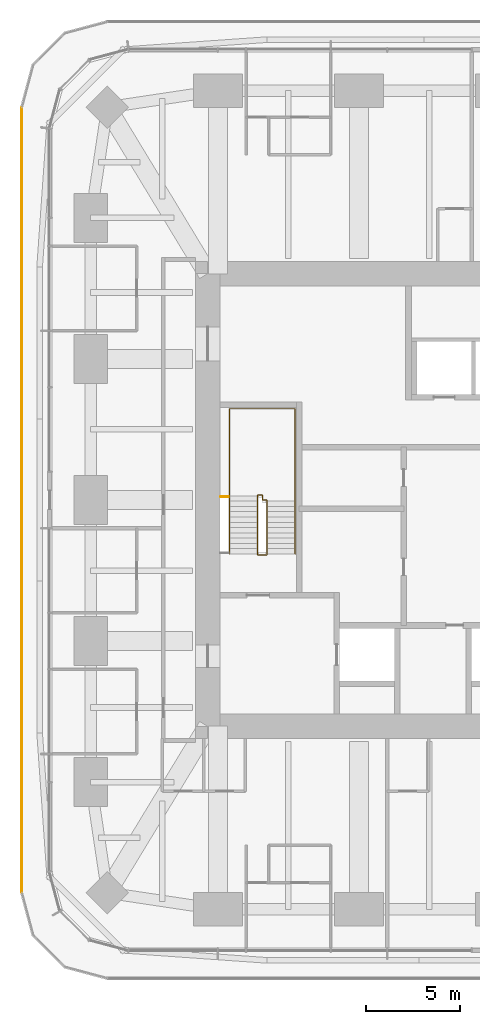
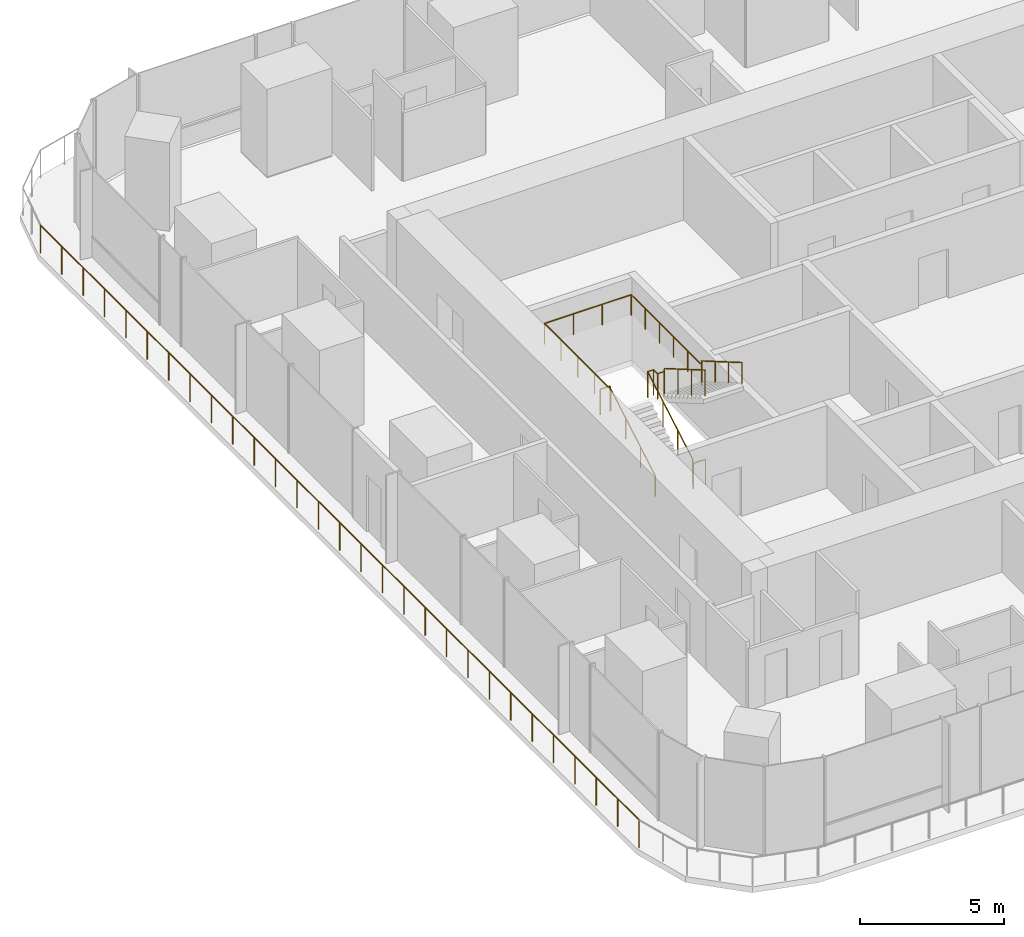
# One storey, part 13 of 15: 4 railings.
"""IFC4 building model written with IfcOpenShell, lengths in metres."""

from ifc_helpers import new_model, si_unit, direction, frame, origin, origin_2d, place, context, subcontext, project, spatial, circle, extrude, material, type_object, element, save


model = new_model("IFC4")

# Units and contexts
model_context = context("Model", 3, precision=1e-05, world=origin(), true_north=direction((0.0, 1.0)))
body_context = subcontext(model_context, "Body", "Model", "MODEL_VIEW")
ifc_project = project(units=[si_unit("LENGTHUNIT", "METRE"), si_unit("AREAUNIT", "SQUARE_METRE"), si_unit("VOLUMEUNIT", "CUBIC_METRE"), si_unit("PLANEANGLEUNIT", "RADIAN"), si_unit("MASSUNIT", "GRAM", prefix="KILO")], contexts=[model_context])

# Site, building, storey
site_placement = place(None, origin())
site = spatial("IfcSite", under=ifc_project, at=site_placement, CompositionType="ELEMENT")
building_placement = place(site_placement, origin())
building = spatial("IfcBuilding", under=site, at=building_placement, Name="Khuree Lantern Residences", CompositionType="ELEMENT")
storey_placement = place(building_placement, frame((0.0, 0.0, 285.75)))
storey = spatial("IfcBuildingStorey", under=building, at=storey_placement, Name="L71", CompositionType="ELEMENT", Elevation=285.75)

# Railings
ifc_material_1 = material(Name="Steel S355", Category="steel")
railing_type_1 = type_object("IfcRailingType", Name="STAIR GUARD G1 1100", PredefinedType="GUARDRAIL", material=ifc_material_1)
railing_1_placement = place(storey_placement, frame((-12.35009765625, -2.909912109375, 0.0)))
element("IfcRailing", 1, at=railing_1_placement, inside=storey, type_object=railing_type_1, Name="Stair ST1 guard", PredefinedType="GUARDRAIL", context=body_context, shape_type="SweptSolid", body=[
    extrude(circle(Radius=0.02392578125, at=origin_2d()), frame((0.0, 0.0, 1.076171875), z_axis=(-1.0, 0.0, 0.0), x_axis=(0.0, -1.0, 0.0)), (0.0, 0.0, 1.0), 0.5),
    extrude(circle(Radius=0.02392578125, at=origin_2d()), frame((-0.5, 0.0, 1.076171875), z_axis=(0.0, 0.292073035251, 0.95639601739), x_axis=(-1.0, 0.0, 0.0)), (0.0, 0.0, 1.0), 0.17041015625),
    extrude(circle(Radius=0.02392578125, at=origin_2d()), frame((-0.5, 0.0498046875, 1.2392578125), z_axis=(0.0, 0.864176135923, 0.503189433615), x_axis=(-1.0, 0.0, 0.0)), (0.0, 0.0, 1.0), 3.564208984375),
    extrude(circle(Radius=0.02392578125, at=origin_2d()), frame((-0.5, 3.1298828125, 3.03271484375), z_axis=(0.0, 1.0, 0.0), x_axis=(-1.0, 0.0, 0.0)), (0.0, 0.0, 1.0), 0.050048828125),
    extrude(circle(Radius=0.02392578125, at=origin_2d()), frame((-0.5, 3.179931640625, 3.03271484375), z_axis=(1.0, 0.0, 0.0), x_axis=(0.0, 1.0, 0.0)), (0.0, 0.0, 1.0), 0.25),
    extrude(circle(Radius=0.02392578125, at=origin_2d()), frame((-0.25, 3.179931640625, 3.03271484375), z_axis=(0.0, -1.0, 0.0), x_axis=(1.0, 0.0, 0.0)), (0.0, 0.0, 1.0), 0.280029296875),
    extrude(circle(Radius=0.02392578125, at=origin_2d()), frame((-0.25, 2.89990234375, 3.03271484375), z_axis=(1.0, 0.0, 0.0), x_axis=(0.0, 1.0, 0.0)), (0.0, 0.0, 1.0), 0.25),
    extrude(circle(Radius=0.02392578125, at=origin_2d()), frame((0.0, 2.89990234375, 3.03271484375), z_axis=(0.0, -0.293381807449, 0.955995353053), x_axis=(1.0, 0.0, 0.0)), (0.0, 0.0, 1.0), 0.170654296875),
    extrude(circle(Radius=0.02392578125, at=origin_2d()), frame((0.0, 2.849853515625, 3.19580078125), z_axis=(0.0, -0.864180358799, 0.503182181189), x_axis=(1.0, 0.0, 0.0)), (0.0, 0.0, 1.0), 3.240234375),
    extrude(circle(Radius=0.02099609375, at=origin_2d()), origin(), (0.0, 0.0, 1.0), 1.052001953125),
    extrude(circle(Radius=0.02099609375, at=origin_2d()), frame((-0.5, 0.0, 0.0)), (0.0, 0.0, 1.0), 1.052001953125),
    extrude(circle(Radius=0.02099609375, at=origin_2d()), frame((-0.5, 0.0498046875, 0.1630859375)), (0.0, 0.0, 1.0), 1.052001953125),
    extrude(circle(Radius=0.02099609375, at=origin_2d()), frame((-0.5, 1.076416015625, 0.760986328125)), (0.0, 0.0, 1.0), 1.052001953125),
    extrude(circle(Radius=0.02099609375, at=origin_2d()), frame((-0.5, 2.103271484375, 1.358642578125)), (0.0, 0.0, 1.0), 1.052001953125),
    extrude(circle(Radius=0.02099609375, at=origin_2d()), frame((-0.5, 3.1298828125, 1.95654296875)), (0.0, 0.0, 1.0), 1.052001953125),
    extrude(circle(Radius=0.02099609375, at=origin_2d()), frame((-0.5, 3.179931640625, 1.95654296875)), (0.0, 0.0, 1.0), 1.052001953125),
    extrude(circle(Radius=0.02099609375, at=origin_2d()), frame((-0.25, 3.179931640625, 1.95654296875)), (0.0, 0.0, 1.0), 1.052001953125),
    extrude(circle(Radius=0.02099609375, at=origin_2d()), frame((-0.25, 2.89990234375, 1.95654296875)), (0.0, 0.0, 1.0), 1.052001953125),
    extrude(circle(Radius=0.02099609375, at=origin_2d()), frame((0.0, 2.89990234375, 1.95654296875)), (0.0, 0.0, 1.0), 1.052001953125),
    extrude(circle(Radius=0.02099609375, at=origin_2d()), frame((0.0, 2.849853515625, 2.11962890625)), (0.0, 0.0, 1.0), 1.052001953125),
    extrude(circle(Radius=0.02099609375, at=origin_2d()), frame((0.0, 1.91650390625, 2.6630859375)), (0.0, 0.0, 1.0), 1.052001953125),
    extrude(circle(Radius=0.02099609375, at=origin_2d()), frame((0.0, 0.983154296875, 3.20654296875)), (0.0, 0.0, 1.0), 1.052001953125),
    extrude(circle(Radius=0.02099609375, at=origin_2d()), frame((0.0, 0.0498046875, 3.75)), (0.0, 0.0, 1.0), 1.052001953125),
])
railing_2_placement = place(storey_placement, frame((-14.800048828125, 0.169921875, 1.95654296875)))
element("IfcRailing", 2, at=railing_2_placement, inside=storey, type_object=railing_type_1, Name="Stair ST1 landing slot guard", PredefinedType="GUARDRAIL", context=body_context, shape_type="SweptSolid", body=[
    extrude(circle(Radius=0.02392578125, at=origin_2d()), frame((0.0, 0.0, 1.076171875), z_axis=(1.0, 0.0, 0.0), x_axis=(0.0, 1.0, 0.0)), (0.0, 0.0, 1.0), 0.400146484375),
    extrude(circle(Radius=0.02099609375, at=origin_2d()), origin(), (0.0, 0.0, 1.0), 1.052001953125),
    extrude(circle(Radius=0.02099609375, at=origin_2d()), frame((0.400146484375, 0.0, 0.0)), (0.0, 0.0, 1.0), 1.052001953125),
])
railing_type_2 = type_object("IfcRailingType", Name="STAIR HANDRAIL H1 900", PredefinedType="HANDRAIL", material=ifc_material_1)
railing_3_placement = place(storey_placement, frame((-14.340087890625, -2.860107421875, 0.1630859375)))
element("IfcRailing", 3, at=railing_3_placement, inside=storey, type_object=railing_type_2, Name="Stair ST1 handrail", PredefinedType="HANDRAIL", context=body_context, shape_type="SweptSolid", body=[
    extrude(circle(Radius=0.02392578125, at=origin_2d()), frame((0.0, 0.0, 0.8759765625), z_axis=(0.0, 0.864176135923, 0.503189433615), x_axis=(-1.0, 0.0, 0.0)), (0.0, 0.0, 1.0), 3.564208984375),
    extrude(circle(Radius=0.02392578125, at=origin_2d()), frame((0.0, 3.080078125, 2.66943359375), z_axis=(0.0, 1.0, 0.0), x_axis=(-1.0, 0.0, 0.0)), (0.0, 0.0, 1.0), 4.6201171875),
    extrude(circle(Radius=0.02392578125, at=origin_2d()), frame((0.0, 7.7001953125, 2.66943359375), z_axis=(1.0, 0.0, 0.0), x_axis=(0.0, 1.0, 0.0)), (0.0, 0.0, 1.0), 3.47998046875),
    extrude(circle(Radius=0.02392578125, at=origin_2d()), frame((3.47998046875, 7.7001953125, 2.66943359375), z_axis=(0.0, -1.0, 0.0), x_axis=(1.0, 0.0, 0.0)), (0.0, 0.0, 1.0), 4.900146484375),
    extrude(circle(Radius=0.02392578125, at=origin_2d()), frame((3.47998046875, 2.800048828125, 2.66943359375), z_axis=(0.0, 0.0, 1.0), x_axis=(1.0, 0.0, 0.0)), (0.0, 0.0, 1.0), 0.1630859375),
    extrude(circle(Radius=0.02392578125, at=origin_2d()), frame((3.47998046875, 2.800048828125, 2.83251953125), z_axis=(0.0, -0.864180358799, 0.503182181189), x_axis=(1.0, 0.0, 0.0)), (0.0, 0.0, 1.0), 3.240234375),
    extrude(circle(Radius=0.02099609375, at=origin_2d()), origin(), (0.0, 0.0, 1.0), 0.851806640625),
    extrude(circle(Radius=0.02099609375, at=origin_2d()), frame((0.0, 1.026611328125, 0.597900390625)), (0.0, 0.0, 1.0), 0.851806640625),
    extrude(circle(Radius=0.02099609375, at=origin_2d()), frame((0.0, 2.053466796875, 1.195556640625)), (0.0, 0.0, 1.0), 0.851806640625),
    extrude(circle(Radius=0.02099609375, at=origin_2d()), frame((0.0, 3.080078125, 1.79345703125)), (0.0, 0.0, 1.0), 0.851806640625),
    extrude(circle(Radius=0.02099609375, at=origin_2d()), frame((0.0, 4.235107421875, 1.79345703125)), (0.0, 0.0, 1.0), 0.851806640625),
    extrude(circle(Radius=0.02099609375, at=origin_2d()), frame((0.0, 5.39013671875, 1.79345703125)), (0.0, 0.0, 1.0), 0.851806640625),
    extrude(circle(Radius=0.02099609375, at=origin_2d()), frame((0.0, 6.545166015625, 1.79345703125)), (0.0, 0.0, 1.0), 0.851806640625),
    extrude(circle(Radius=0.02099609375, at=origin_2d()), frame((0.0, 7.7001953125, 1.79345703125)), (0.0, 0.0, 1.0), 0.851806640625),
    extrude(circle(Radius=0.02099609375, at=origin_2d()), frame((1.159912109375, 7.7001953125, 1.79345703125)), (0.0, 0.0, 1.0), 0.851806640625),
    extrude(circle(Radius=0.02099609375, at=origin_2d()), frame((2.320068359375, 7.7001953125, 1.79345703125)), (0.0, 0.0, 1.0), 0.851806640625),
    extrude(circle(Radius=0.02099609375, at=origin_2d()), frame((3.47998046875, 7.7001953125, 1.79345703125)), (0.0, 0.0, 1.0), 0.851806640625),
    extrude(circle(Radius=0.02099609375, at=origin_2d()), frame((3.47998046875, 6.72021484375, 1.79345703125)), (0.0, 0.0, 1.0), 0.851806640625),
    extrude(circle(Radius=0.02099609375, at=origin_2d()), frame((3.47998046875, 5.740234375, 1.79345703125)), (0.0, 0.0, 1.0), 0.851806640625),
    extrude(circle(Radius=0.02099609375, at=origin_2d()), frame((3.47998046875, 4.760009765625, 1.79345703125)), (0.0, 0.0, 1.0), 0.851806640625),
    extrude(circle(Radius=0.02099609375, at=origin_2d()), frame((3.47998046875, 3.780029296875, 1.79345703125)), (0.0, 0.0, 1.0), 0.851806640625),
    extrude(circle(Radius=0.02099609375, at=origin_2d()), frame((3.47998046875, 2.800048828125, 1.79345703125)), (0.0, 0.0, 1.0), 0.851806640625),
    extrude(circle(Radius=0.02099609375, at=origin_2d()), frame((3.47998046875, 2.800048828125, 1.95654296875)), (0.0, 0.0, 1.0), 0.851806640625),
    extrude(circle(Radius=0.02099609375, at=origin_2d()), frame((3.47998046875, 1.86669921875, 2.5)), (0.0, 0.0, 1.0), 0.851806640625),
    extrude(circle(Radius=0.02099609375, at=origin_2d()), frame((3.47998046875, 0.933349609375, 3.04345703125)), (0.0, 0.0, 1.0), 0.851806640625),
    extrude(circle(Radius=0.02099609375, at=origin_2d()), frame((3.47998046875, 0.0, 3.5869140625)), (0.0, 0.0, 1.0), 0.851806640625),
])
ifc_material_2 = material(Name="Toughened laminated glass balustrade with bronze anodised aluminium top rail", Category="aluminium")
railing_type_3 = type_object("IfcRailingType", Name="TERRACE GUARD G1 1200", PredefinedType="GUARDRAIL", material=ifc_material_2)
railing_4_placement = place(storey_placement, frame((-25.35009765625, 20.800048828125, 0.0)))
element("IfcRailing", 4, at=railing_4_placement, inside=storey, type_object=railing_type_3, Name="L71 WEST FACE TERRACE GUARD", PredefinedType="GUARDRAIL", context=body_context, shape_type="SweptSolid", body=[
    extrude(circle(Radius=0.02392578125, at=origin_2d()), frame((0.0, 0.0, 1.17626953125), z_axis=(0.0, -1.0, 0.0), x_axis=(1.0, 0.0, 0.0)), (0.0, 0.0, 1.0), 41.60009765625),
    extrude(circle(Radius=0.02099609375, at=origin_2d()), origin(), (0.0, 0.0, 1.0), 1.152099609375),
    extrude(circle(Radius=0.02099609375, at=origin_2d()), frame((0.0, -1.48583984375, 0.0)), (0.0, 0.0, 1.0), 1.152099609375),
    extrude(circle(Radius=0.02099609375, at=origin_2d()), frame((0.0, -2.971435546875, 0.0)), (0.0, 0.0, 1.0), 1.152099609375),
    extrude(circle(Radius=0.02099609375, at=origin_2d()), frame((0.0, -4.45703125, 0.0)), (0.0, 0.0, 1.0), 1.152099609375),
    extrude(circle(Radius=0.02099609375, at=origin_2d()), frame((0.0, -5.94287109375, 0.0)), (0.0, 0.0, 1.0), 1.152099609375),
    extrude(circle(Radius=0.02099609375, at=origin_2d()), frame((0.0, -7.4287109375, 0.0)), (0.0, 0.0, 1.0), 1.152099609375),
    extrude(circle(Radius=0.02099609375, at=origin_2d()), frame((0.0, -8.914306640625, 0.0)), (0.0, 0.0, 1.0), 1.152099609375),
    extrude(circle(Radius=0.02099609375, at=origin_2d()), frame((0.0, -10.39990234375, 0.0)), (0.0, 0.0, 1.0), 1.152099609375),
    extrude(circle(Radius=0.02099609375, at=origin_2d()), frame((0.0, -11.8857421875, 0.0)), (0.0, 0.0, 1.0), 1.152099609375),
    extrude(circle(Radius=0.02099609375, at=origin_2d()), frame((0.0, -13.37158203125, 0.0)), (0.0, 0.0, 1.0), 1.152099609375),
    extrude(circle(Radius=0.02099609375, at=origin_2d()), frame((0.0, -14.857177734375, 0.0)), (0.0, 0.0, 1.0), 1.152099609375),
    extrude(circle(Radius=0.02099609375, at=origin_2d()), frame((0.0, -16.3427734375, 0.0)), (0.0, 0.0, 1.0), 1.152099609375),
    extrude(circle(Radius=0.02099609375, at=origin_2d()), frame((0.0, -17.82861328125, 0.0)), (0.0, 0.0, 1.0), 1.152099609375),
    extrude(circle(Radius=0.02099609375, at=origin_2d()), frame((0.0, -19.314453125, 0.0)), (0.0, 0.0, 1.0), 1.152099609375),
    extrude(circle(Radius=0.02099609375, at=origin_2d()), frame((0.0, -20.800048828125, 0.0)), (0.0, 0.0, 1.0), 1.152099609375),
    extrude(circle(Radius=0.02099609375, at=origin_2d()), frame((0.0, -22.28564453125, 0.0)), (0.0, 0.0, 1.0), 1.152099609375),
    extrude(circle(Radius=0.02099609375, at=origin_2d()), frame((0.0, -23.771484375, 0.0)), (0.0, 0.0, 1.0), 1.152099609375),
    extrude(circle(Radius=0.02099609375, at=origin_2d()), frame((0.0, -25.257080078125, 0.0)), (0.0, 0.0, 1.0), 1.152099609375),
    extrude(circle(Radius=0.02099609375, at=origin_2d()), frame((0.0, -26.742919921875, 0.0)), (0.0, 0.0, 1.0), 1.152099609375),
    extrude(circle(Radius=0.02099609375, at=origin_2d()), frame((0.0, -28.228515625, 0.0)), (0.0, 0.0, 1.0), 1.152099609375),
    extrude(circle(Radius=0.02099609375, at=origin_2d()), frame((0.0, -29.71435546875, 0.0)), (0.0, 0.0, 1.0), 1.152099609375),
    extrude(circle(Radius=0.02099609375, at=origin_2d()), frame((0.0, -31.2001953125, 0.0)), (0.0, 0.0, 1.0), 1.152099609375),
    extrude(circle(Radius=0.02099609375, at=origin_2d()), frame((0.0, -32.685791015625, 0.0)), (0.0, 0.0, 1.0), 1.152099609375),
    extrude(circle(Radius=0.02099609375, at=origin_2d()), frame((0.0, -34.17138671875, 0.0)), (0.0, 0.0, 1.0), 1.152099609375),
    extrude(circle(Radius=0.02099609375, at=origin_2d()), frame((0.0, -35.6572265625, 0.0)), (0.0, 0.0, 1.0), 1.152099609375),
    extrude(circle(Radius=0.02099609375, at=origin_2d()), frame((0.0, -37.14306640625, 0.0)), (0.0, 0.0, 1.0), 1.152099609375),
    extrude(circle(Radius=0.02099609375, at=origin_2d()), frame((0.0, -38.628662109375, 0.0)), (0.0, 0.0, 1.0), 1.152099609375),
    extrude(circle(Radius=0.02099609375, at=origin_2d()), frame((0.0, -40.1142578125, 0.0)), (0.0, 0.0, 1.0), 1.152099609375),
    extrude(circle(Radius=0.02099609375, at=origin_2d()), frame((0.0, -41.60009765625, 0.0)), (0.0, 0.0, 1.0), 1.152099609375),
])

save(model, "model.ifc")
